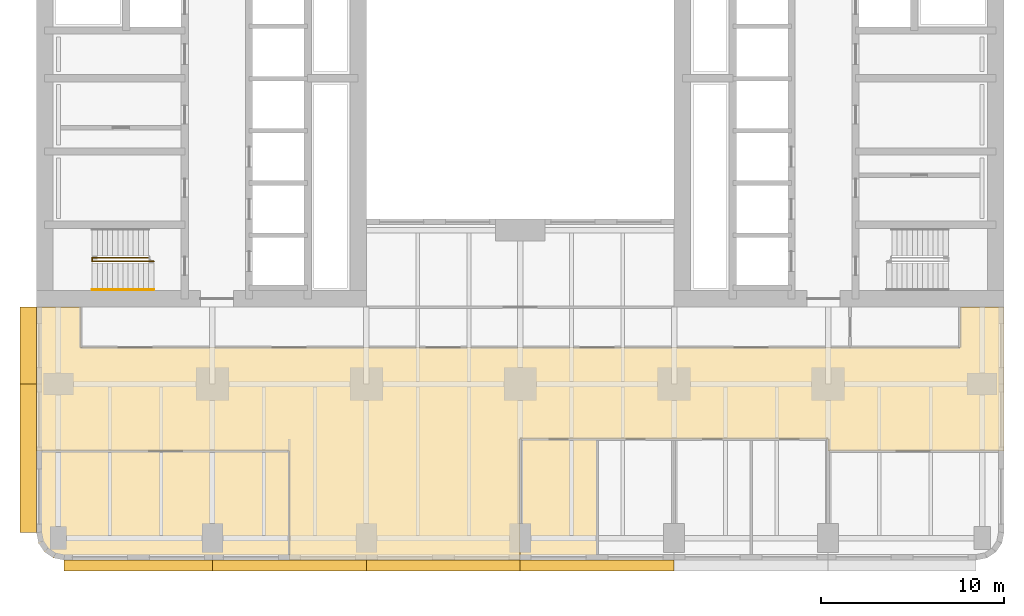
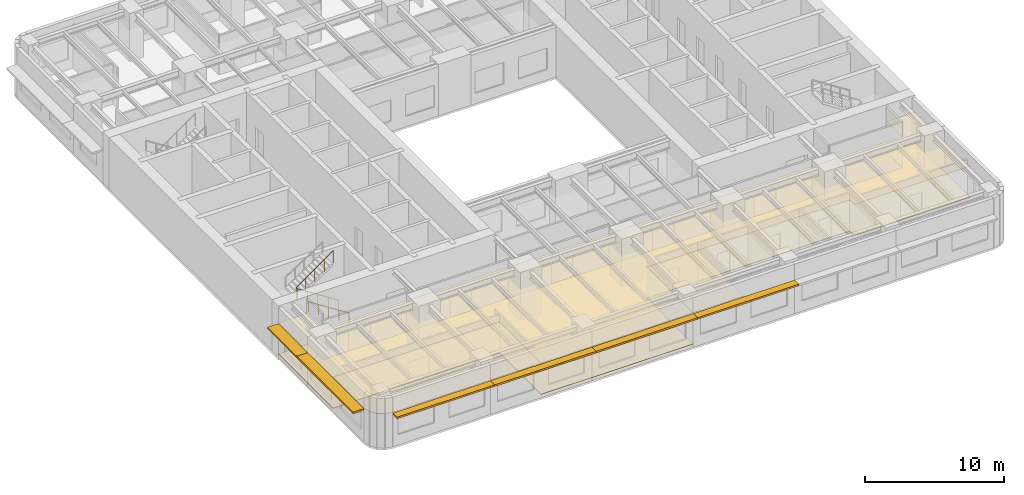
# One storey, part 9 of 14: 6 shading devices, 4 coverings, 2 railings.
"""IFC4 building model written with IfcOpenShell, lengths in metres."""

from ifc_helpers import new_model, si_unit, direction, frame, origin, origin_2d, place, context, subcontext, project, spatial, polyline, rectangle, circle, outline, extrude, material, layer, layer_set, type_object, element, save


model = new_model("IFC4")

# Units and contexts
model_context = context("Model", 3, precision=1e-05, world=origin(), true_north=direction((0.0, 1.0)))
body_context = subcontext(model_context, "Body", "Model", "MODEL_VIEW")
ifc_project = project(units=[si_unit("LENGTHUNIT", "METRE"), si_unit("AREAUNIT", "SQUARE_METRE"), si_unit("VOLUMEUNIT", "CUBIC_METRE"), si_unit("PLANEANGLEUNIT", "RADIAN"), si_unit("MASSUNIT", "GRAM", prefix="KILO")], contexts=[model_context])

# Site, building, storey
site_placement = place(None, origin())
site = spatial("IfcSite", under=ifc_project, at=site_placement, CompositionType="ELEMENT")
building_placement = place(site_placement, origin())
building = spatial("IfcBuilding", under=site, at=building_placement, Name="Claustro Exchange Tower", CompositionType="ELEMENT")
storey_placement = place(building_placement, frame((0.0, 0.0, 41.39990234375)))
storey = spatial("IfcBuildingStorey", under=building, at=storey_placement, Name="L09", CompositionType="ELEMENT", Elevation=41.39990234375)

# Coverings
ifc_material_1 = material(Name="Gypsum board ceiling", Category="gypsum board")
ifc_layer_1 = layer(ifc_material_1, 0.02490234375)
ifc_layer_set_1 = layer_set([ifc_layer_1], Name="Gypsum board ceiling")
covering_type_1 = type_object("IfcCoveringType", Name="CL2 plasterboard ceiling", PredefinedType="CEILING", material=ifc_layer_set_1)
covering_1_placement = place(storey_placement, frame((0.0, 0.0, 3.0)))
element("IfcCovering", 1, at=covering_1_placement, inside=storey, type_object=covering_type_1, Name="Ceiling CL2 L09-01", PredefinedType="CEILING", context=body_context, shape_type="SweptSolid", body=[
    extrude(outline(polyline([(-1.085693359375, -0.27392578125), (-0.7607421875, -0.7607421875), (-0.27392578125, -1.085693359375), (0.300048828125, -1.199951171875), (12.60009765625, -1.199951171875), (12.60009765625, 4.75), (-1.199951171875, 4.75), (-1.199951171875, 0.300048828125), (-1.085693359375, -0.27392578125)])), origin(), (0.0, 0.0, 1.0), 0.025146484375),
])
covering_2_placement = place(storey_placement, frame((0.0, 0.0, 3.0)))
element("IfcCovering", 2, at=covering_2_placement, inside=storey, type_object=covering_type_1, Name="Ceiling CL2 L09-03", PredefinedType="CEILING", context=body_context, shape_type="SweptSolid", body=[
    extrude(outline(polyline([(25.199951171875, -1.199951171875), (29.39990234375, -1.199951171875), (29.39990234375, 5.39990234375), (25.199951171875, 5.39990234375), (25.199951171875, -1.199951171875)])), origin(), (0.0, 0.0, 1.0), 0.025146484375),
])
covering_3_placement = place(storey_placement, frame((0.0, 0.0, 3.0)))
element("IfcCovering", 3, at=covering_3_placement, inside=storey, type_object=covering_type_1, Name="Ceiling CL2 L09-07", PredefinedType="CEILING", context=body_context, shape_type="SweptSolid", body=[
    extrude(outline(polyline([(-1.199951171875, 12.60009765625), (-1.199951171875, 4.75), (12.60009765625, 4.75), (12.60009765625, -1.199951171875), (25.199951171875, -1.199951171875), (25.199951171875, 5.39990234375), (29.39990234375, 5.39990234375), (33.60009765625, 5.39990234375), (37.800048828125, 5.39990234375), (42.0, 5.39990234375), (42.0, 4.75), (51.60009765625, 4.75), (51.60009765625, 12.60009765625), (49.199951171875, 12.60009765625), (49.199951171875, 10.39990234375), (43.199951171875, 10.39990234375), (1.199951171875, 10.39990234375), (1.199951171875, 12.60009765625), (-1.199951171875, 12.60009765625)])), origin(), (0.0, 0.0, 1.0), 0.025146484375),
])

# Railings
ifc_material_2 = material(Name="Steel balustrade, painted", Category="steel")
railing_type_1 = type_object("IfcRailingType", Name="GR2 1100 steel stair guard", PredefinedType="GUARDRAIL", material=ifc_material_2)
railing_1_placement = place(storey_placement, frame((5.199951171875, 15.10009765625, 0.18017578125)))
element("IfcRailing", 4, at=railing_1_placement, inside=storey, type_object=railing_type_1, Name="Stair well guard GR2 stair STWA L09", PredefinedType="GUARDRAIL", context=body_context, shape_type="SweptSolid", body=[
    extrude(circle(Radius=0.02392578125, at=origin_2d()), frame((0.0, 0.0, 1.076171875), z_axis=(-0.841178475377, 0.0, 0.540757591313), x_axis=(0.0, -1.0, 0.0)), (0.0, 0.0, 1.0), 3.994140625),
    extrude(circle(Radius=0.02392578125, at=origin_2d()), frame((-3.35986328125, 0.0, 3.23583984375), z_axis=(0.0, 1.0, 0.0), x_axis=(-1.0, 0.0, 0.0)), (0.0, 0.0, 1.0), 0.199951171875),
    extrude(circle(Radius=0.02392578125, at=origin_2d()), frame((-3.35986328125, 0.199951171875, 3.23583984375), z_axis=(0.818728512145, 0.0, 0.574180828137), x_axis=(0.0, 1.0, 0.0)), (0.0, 0.0, 1.0), 3.76171875),
    extrude(circle(Radius=0.02099609375, at=origin_2d()), origin(), (0.0, 0.0, 1.0), 1.052001953125),
    extrude(circle(Radius=0.02099609375, at=origin_2d()), frame((-0.83984375, 0.0, 0.5400390625)), (0.0, 0.0, 1.0), 1.052001953125),
    extrude(circle(Radius=0.02099609375, at=origin_2d()), frame((-1.679931640625, 0.0, 1.080078125)), (0.0, 0.0, 1.0), 1.052001953125),
    extrude(circle(Radius=0.02099609375, at=origin_2d()), frame((-2.52001953125, 0.0, 1.619873046875)), (0.0, 0.0, 1.0), 1.052001953125),
    extrude(circle(Radius=0.02099609375, at=origin_2d()), frame((-3.35986328125, 0.0, 2.159912109375)), (0.0, 0.0, 1.0), 1.052001953125),
    extrude(circle(Radius=0.02099609375, at=origin_2d()), frame((-3.35986328125, 0.199951171875, 2.159912109375)), (0.0, 0.0, 1.0), 1.052001953125),
    extrude(circle(Radius=0.02099609375, at=origin_2d()), frame((-2.58984375, 0.199951171875, 2.699951171875)), (0.0, 0.0, 1.0), 1.052001953125),
    extrude(circle(Radius=0.02099609375, at=origin_2d()), frame((-1.81982421875, 0.199951171875, 3.23974609375)), (0.0, 0.0, 1.0), 1.052001953125),
    extrude(circle(Radius=0.02099609375, at=origin_2d()), frame((-1.050048828125, 0.199951171875, 3.77978515625)), (0.0, 0.0, 1.0), 1.052001953125),
    extrude(circle(Radius=0.02099609375, at=origin_2d()), frame((-0.280029296875, 0.199951171875, 4.31982421875)), (0.0, 0.0, 1.0), 1.052001953125),
])
ifc_material_3 = material(Name="Stainless steel tube", Category="steel")
railing_type_2 = type_object("IfcRailingType", Name="HR1 900 stair handrail", PredefinedType="HANDRAIL", material=ifc_material_3)
railing_2_placement = place(storey_placement, frame((5.199951171875, 13.56005859375, 0.18017578125)))
element("IfcRailing", 5, at=railing_2_placement, inside=storey, type_object=railing_type_2, Name="Handrail HR1 stair STWA L09", PredefinedType="HANDRAIL", context=body_context, shape_type="SweptSolid", body=[
    extrude(circle(Radius=0.02392578125, at=origin_2d()), frame((0.0, 0.0, 0.8759765625), z_axis=(-0.841178475377, 0.0, 0.540757591313), x_axis=(0.0, -1.0, 0.0)), (0.0, 0.0, 1.0), 3.994140625),
    extrude(circle(Radius=0.02099609375, at=origin_2d()), origin(), (0.0, 0.0, 1.0), 0.851806640625),
    extrude(circle(Radius=0.02099609375, at=origin_2d()), frame((-0.83984375, 0.0, 0.5400390625)), (0.0, 0.0, 1.0), 0.851806640625),
    extrude(circle(Radius=0.02099609375, at=origin_2d()), frame((-1.679931640625, 0.0, 1.080078125)), (0.0, 0.0, 1.0), 0.851806640625),
    extrude(circle(Radius=0.02099609375, at=origin_2d()), frame((-2.52001953125, 0.0, 1.619873046875)), (0.0, 0.0, 1.0), 0.851806640625),
    extrude(circle(Radius=0.02099609375, at=origin_2d()), frame((-3.35986328125, 0.0, 2.159912109375)), (0.0, 0.0, 1.0), 0.851806640625),
])

# Covering
ifc_material_4 = material(Name="Steel-encased raised floor panels on pedestals", Category="steel")
ifc_layer_2 = layer(ifc_material_4, 0.0400390625)
ifc_layer_set_2 = layer_set([ifc_layer_2], Name="Steel-encased raised floor panels on pedestals")
covering_type_2 = type_object("IfcCoveringType", Name="RF1 300 raised access floor", PredefinedType="FLOORING", material=ifc_layer_set_2)
covering_4_placement = place(storey_placement, frame((0.0, 0.0, 0.260009765625)))
element("IfcCovering", 6, at=covering_4_placement, inside=storey, type_object=covering_type_2, Name="Raised access floor RF1 L09-07", PredefinedType="FLOORING", context=body_context, shape_type="SweptSolid", body=[
    extrude(outline(polyline([(-1.199951171875, 12.60009765625), (-1.199951171875, 4.75), (12.60009765625, 4.75), (12.60009765625, -1.199951171875), (25.199951171875, -1.199951171875), (25.199951171875, 5.39990234375), (29.39990234375, 5.39990234375), (33.60009765625, 5.39990234375), (37.800048828125, 5.39990234375), (42.0, 5.39990234375), (42.0, 4.75), (51.60009765625, 4.75), (51.60009765625, 12.60009765625), (49.199951171875, 12.60009765625), (49.199951171875, 10.39990234375), (43.199951171875, 10.39990234375), (1.199951171875, 10.39990234375), (1.199951171875, 12.60009765625), (-1.199951171875, 12.60009765625)])), origin(), (0.0, 0.0, 1.0), 0.0400390625),
])

# Shading devices
ifc_material_5 = material(Name="Concrete HA-40 (C40/50), precast, white cement, acid-etched", Category="concrete")
ifc_layer_3 = layer(ifc_material_5, 0.14990234375)
ifc_layer_set_3 = layer_set([ifc_layer_3], Name="Concrete HA-40 (C40/50), precast, white cement, acid-etched")
shading_device_type_1 = type_object("IfcShadingDeviceType", Name="SS1 600 precast concrete SUNSHADE", PredefinedType="SHUTTER", material=ifc_layer_set_3)
for number, where, z_axis, x_axis, name in (
    (7, (29.39990234375, -1.5, 2.800048828125), (0.0, 0.0, 1.0), (-1.0, 0.0, 0.0), "Precast SUNSHADE SS1 L09"),
    (8, (21.0, -1.5, 2.800048828125), (0.0, 0.0, 1.0), (-1.0, 0.0, 0.0), "Precast SUNSHADE SS1 L09"),
    (9, (12.60009765625, -1.5, 2.800048828125), (0.0, 0.0, 1.0), (-1.0, 0.0, 0.0), "Precast SUNSHADE SS1 L09"),
):
    element("IfcShadingDevice", number, at=place(storey_placement, frame(where, z_axis=z_axis, x_axis=x_axis)), inside=storey, type_object=shading_device_type_1, Name=name, PredefinedType="SHUTTER", context=body_context, shape_type="SweptSolid", body=[
        extrude(rectangle(XDim=8.39990234375, YDim=0.60009765625, at=origin_2d()), origin(), (0.0, 0.0, 1.0), 0.14990234375),
    ])
shading_device_1_placement = place(storey_placement, frame((4.357421875, -1.5, 2.800048828125), z_axis=(0.0, 0.0, 1.0), x_axis=(-1.0, 0.0, 0.0)))
element("IfcShadingDevice", 10, at=shading_device_1_placement, inside=storey, type_object=shading_device_type_1, Name="Precast SUNSHADE SS1 L09", PredefinedType="SHUTTER", context=body_context, shape_type="SweptSolid", body=[
    extrude(rectangle(XDim=8.085205078125, YDim=0.60009765625, at=origin_2d()), origin(), (0.0, 0.0, 1.0), 0.14990234375),
])
ifc_material_6 = material(Name="Concrete HA-40 (C40/50), precast, white cement, acid-etched", Category="concrete")
ifc_layer_4 = layer(ifc_material_6, 0.14990234375)
ifc_layer_set_4 = layer_set([ifc_layer_4], Name="Concrete HA-40 (C40/50), precast, white cement, acid-etched")
shading_device_type_2 = type_object("IfcShadingDeviceType", Name="SS2 900 precast concrete SUNSHADE", PredefinedType="SHUTTER", material=ifc_layer_set_4)
shading_device_2_placement = place(storey_placement, frame((-1.64990234375, 4.357421875, 2.800048828125), z_axis=(0.0, 0.0, 1.0), x_axis=(0.0, 1.0, 0.0)))
element("IfcShadingDevice", 11, at=shading_device_2_placement, inside=storey, type_object=shading_device_type_2, Name="Precast SUNSHADE SS2 L09", PredefinedType="SHUTTER", context=body_context, shape_type="SweptSolid", body=[
    extrude(rectangle(XDim=8.085205078125, YDim=0.89990234375, at=origin_2d()), origin(), (0.0, 0.0, 1.0), 0.14990234375),
])
shading_device_3_placement = place(storey_placement, frame((-1.64990234375, 10.5, 2.800048828125), z_axis=(0.0, 0.0, 1.0), x_axis=(0.0, 1.0, 0.0)))
element("IfcShadingDevice", 12, at=shading_device_3_placement, inside=storey, type_object=shading_device_type_2, Name="Precast SUNSHADE SS2 L09", PredefinedType="SHUTTER", context=body_context, shape_type="SweptSolid", body=[
    extrude(rectangle(XDim=4.199951171875, YDim=0.89990234375, at=origin_2d()), origin(), (0.0, 0.0, 1.0), 0.14990234375),
])

save(model, "model.ifc")
